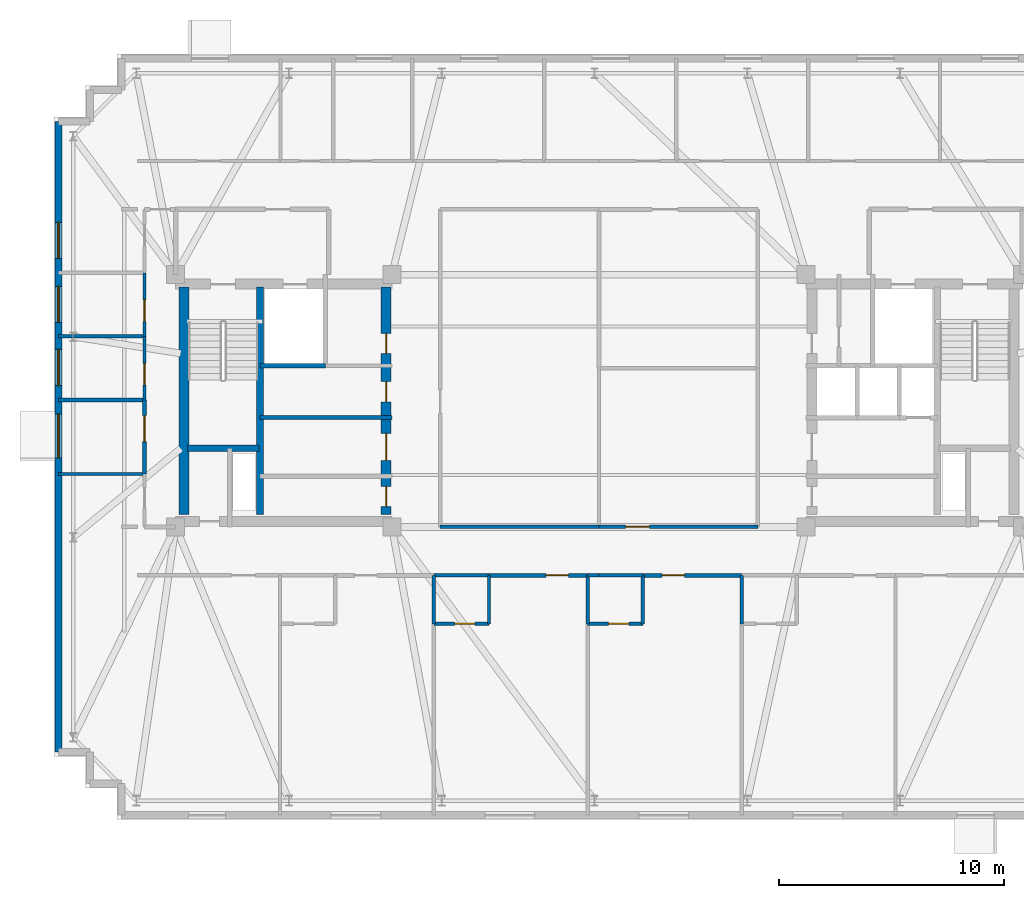
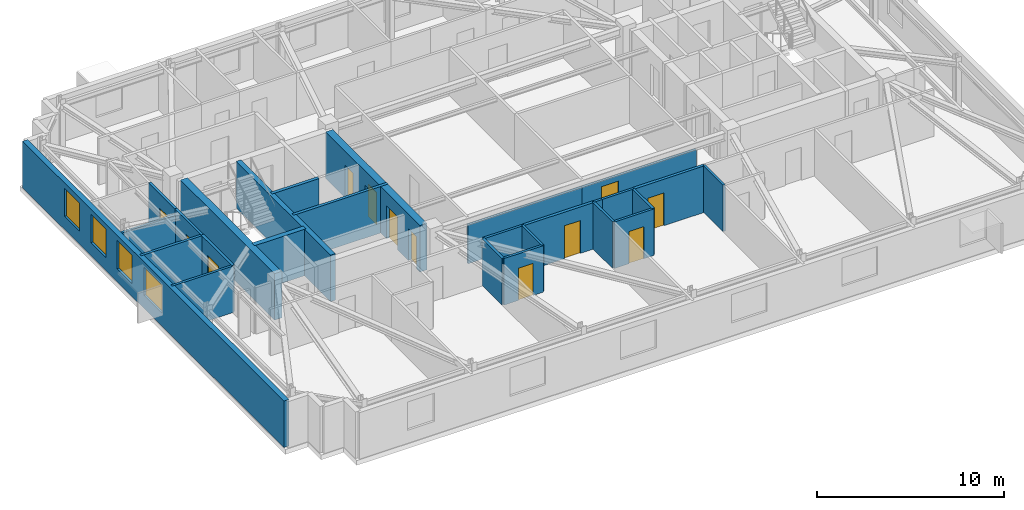
# One storey, part 6 of 11: 27 walls, 12 doors, 4 windows, 16 openings.
"""IFC4 building model written with IfcOpenShell, lengths in metres."""

import ifcopenshell
import ifcopenshell.guid

model = None  # the IFC model being written
_history = None  # IfcOwnerHistory: only IFC2X3 demands one
_inside = {}  # id of a spatial element -> (the spatial element, [elements in it])
_under = {}  # id of a project, library or spatial element -> (it, [spatial elements below it])
_declared = {}  # id of a project -> (the project, [libraries it declares])
_typed = {}  # id of a type object -> (the type object, [elements of that type])
_made_of = {}  # id of a material, layer set ... -> (it, [elements and type objects made of it])


def new_model(schema):
    """Start an empty IFC model of exactly this schema.

    Asked for "IFC4X3", IfcOpenShell would pick the latest addendum, in which some entities
    have other attributes; the version numbers below select the first issue.
    IFC2X3 requires an IfcOwnerHistory on every rooted entity: one is made here for all.
    """
    global model, _history
    if schema == "IFC4X3":
        model = ifcopenshell.file(schema_version=(4, 3, 0, 0))
    else:
        model = ifcopenshell.file(schema=schema)
    _inside.clear()
    _under.clear()
    _declared.clear()
    _typed.clear()
    _made_of.clear()
    _history = None
    if model.schema == "IFC2X3":
        org = make("IfcOrganization", Name="unknown")
        user = make(
            "IfcPersonAndOrganization",
            ThePerson=make("IfcPerson", FamilyName="unknown"),
            TheOrganization=org,
        )
        app = make(
            "IfcApplication",
            ApplicationDeveloper=org,
            Version="unknown",
            ApplicationFullName="unknown",
            ApplicationIdentifier="unknown",
        )
        _history = make(
            "IfcOwnerHistory",
            OwningUser=user,
            OwningApplication=app,
            ChangeAction="ADDED",
            CreationDate=0,
        )
    return model


def make(cls, **values):
    """One entity of the class cls with the attributes given. An attribute that is None is left unset."""
    return model.create_entity(
        cls, **{name: value for name, value in values.items() if value is not None}
    )


def rooted(cls, **values):
    """An entity with a GlobalId (a new one), such as an element, a storey or a relation."""
    return make(cls, GlobalId=ifcopenshell.guid.new(), OwnerHistory=_history, **values)


def si_unit(unit_type, name, prefix=None):
    """IfcSIUnit, for example si_unit("LENGTHUNIT", "METRE", prefix="MILLI")."""
    return make("IfcSIUnit", UnitType=unit_type, Prefix=prefix, Name=name)


def assignment(units):
    """IfcUnitAssignment: the units of a project."""
    return None if units is None else make("IfcUnitAssignment", Units=units)


def point(xyz):
    """IfcCartesianPoint."""
    return None if xyz is None else make("IfcCartesianPoint", Coordinates=xyz)


def direction(xyz):
    """IfcDirection."""
    return None if xyz is None else make("IfcDirection", DirectionRatios=xyz)


def frame(location, z_axis=None, x_axis=None):
    """IfcAxis2Placement3D, a coordinate frame: its origin and axes. An axis left out is left unset."""
    return make(
        "IfcAxis2Placement3D",
        Location=point(location),
        Axis=direction(z_axis),
        RefDirection=direction(x_axis),
    )


def frame_2d(location, x_axis=None):
    """IfcAxis2Placement2D, a coordinate frame in the plane: its origin and x axis."""
    return make(
        "IfcAxis2Placement2D", Location=point(location), RefDirection=direction(x_axis)
    )


def origin():
    """The frame at (0, 0, 0) with its axes left unset."""
    return frame((0.0, 0.0, 0.0))


def place(relative_to, where):
    """IfcLocalPlacement: puts the frame where relative to a parent placement (None: the world)."""
    return make(
        "IfcLocalPlacement", PlacementRelTo=relative_to, RelativePlacement=where
    )


def context(
    kind, dimensions, precision=None, world=None, true_north=None, identifier=None
):
    """IfcGeometricRepresentationContext, for example the 3D "Model" context."""
    return make(
        "IfcGeometricRepresentationContext",
        ContextIdentifier=identifier,
        ContextType=kind,
        CoordinateSpaceDimension=dimensions,
        Precision=precision,
        WorldCoordinateSystem=world,
        TrueNorth=true_north,
    )


def subcontext(parent, identifier, kind, view, scale=None):
    """IfcGeometricRepresentationSubContext, for example "Body" below "Model"."""
    return make(
        "IfcGeometricRepresentationSubContext",
        ContextIdentifier=identifier,
        ContextType=kind,
        ParentContext=parent,
        TargetScale=scale,
        TargetView=view,
    )


def project(units=None, contexts=None):
    """IfcProject with its units and contexts."""
    return rooted(
        "IfcProject",
        Name="project",
        RepresentationContexts=contexts,
        UnitsInContext=assignment(units),
    )


def spatial(cls, under=None, at=None, **own):
    """A site, building, storey or space (cls), placed at a placement, below another one or the project."""
    s = rooted(cls, ObjectPlacement=at, **own)
    if under is not None:
        _under.setdefault(under.id(), (under, []))[1].append(s)
    return s


def profile(cls, at=None, kind="AREA", **sizes):
    """A parametric profile (cls). Its sizes go by their IFC names, for example OverallWidth=200.0."""
    return make(cls, ProfileType=kind, Position=at, **sizes)


def rectangle(**sizes):
    """IfcRectangleProfileDef."""
    return profile("IfcRectangleProfileDef", **sizes)


def extrude(swept, where, along, depth):
    """IfcExtrudedAreaSolid: the profile swept, set in the frame where, extruded along a direction by depth."""
    return make(
        "IfcExtrudedAreaSolid",
        SweptArea=swept,
        Position=where,
        ExtrudedDirection=direction(along),
        Depth=depth,
    )


def shape(context_of_items, identifier, shape_type, items):
    """IfcShapeRepresentation: the items that make up one representation, for example the "Body"."""
    return make(
        "IfcShapeRepresentation",
        ContextOfItems=context_of_items,
        RepresentationIdentifier=identifier,
        RepresentationType=shape_type,
        Items=items,
    )


def material(Name=None, Category=None):
    """IfcMaterial."""
    return make("IfcMaterial", Name=Name, Category=Category)


def layer(
    of_material, thickness, ventilated=None, Name=None, Category=None, Priority=None
):
    """IfcMaterialLayer: one layer of a wall or slab, of a material (None: an air gap)."""
    return make(
        "IfcMaterialLayer",
        Material=of_material,
        LayerThickness=thickness,
        IsVentilated=ventilated,
        Name=Name,
        Category=Category,
        Priority=Priority,
    )


def layer_set(layers, Name=None):
    """IfcMaterialLayerSet."""
    return make("IfcMaterialLayerSet", MaterialLayers=layers, LayerSetName=Name)


def made_of(thing, what):
    """Note that an element or type object is made of a material, layer set ...; save() writes the relation."""
    if what is not None:
        _made_of.setdefault(what.id(), (what, []))[1].append(thing)
    return thing


def type_object(cls, material=None, **own):
    """A type object (cls), such as IfcWallType, which elements share."""
    return made_of(rooted(cls, **own), material)


def element(
    cls,
    number,
    at=None,
    inside=None,
    cuts=None,
    type_object=None,
    material=None,
    context=None,
    identifier="Body",
    shape_type=None,
    held_by="IfcProductDefinitionShape",
    body=None,
    shapes=None,
    **own,
):
    """One element of the class cls, such as IfcWall. Its Tag is "e" and its number.

    at: its placement. inside: the storey or other place that contains it. cuts: it is an
    opening in that element (IfcRelVoidsElement). A single representation is given by context,
    identifier, shape_type and body (its items); several are given by shapes. held_by: the class
    of the entity that holds the representations. save() writes the other relations.
    """
    e = rooted(cls, Tag="e%d" % number, ObjectPlacement=at, **own)
    if body is not None:
        shapes = [shape(context, identifier, shape_type, body)]
    if shapes is not None:
        e.Representation = make(held_by, Representations=shapes)
    if inside is not None:
        _inside.setdefault(inside.id(), (inside, []))[1].append(e)
    if cuts is not None:
        rooted(
            "IfcRelVoidsElement", RelatingBuildingElement=cuts, RelatedOpeningElement=e
        )
    if type_object is not None:
        _typed.setdefault(type_object.id(), (type_object, []))[1].append(e)
    return made_of(e, material)


def fill(opening, filler):
    """IfcRelFillsElement: the door or window that sits in an opening."""
    return rooted(
        "IfcRelFillsElement",
        RelatingOpeningElement=opening,
        RelatedBuildingElement=filler,
    )


def aggregate(whole, parts):
    """IfcRelAggregates: a whole, such as a stair, and the parts it consists of."""
    return rooted("IfcRelAggregates", RelatingObject=whole, RelatedObjects=parts)


def save(model, path):
    """Write the relations noted so far, then the file.

    IfcRelAggregates (storeys below a building ...), IfcRelContainedInSpatialStructure (elements
    in a storey), IfcRelDefinesByType, IfcRelAssociatesMaterial and IfcRelDeclares: one each for
    every whole, place, type object, material and project.
    """
    for whole, parts in _under.values():
        aggregate(whole, parts)
    for where, things in _inside.values():
        rooted(
            "IfcRelContainedInSpatialStructure",
            RelatedElements=things,
            RelatingStructure=where,
        )
    for kind, things in _typed.values():
        rooted("IfcRelDefinesByType", RelatedObjects=things, RelatingType=kind)
    for what, things in _made_of.values():
        rooted("IfcRelAssociatesMaterial", RelatedObjects=things, RelatingMaterial=what)
    for by, libraries in _declared.values():
        rooted("IfcRelDeclares", RelatingContext=by, RelatedDefinitions=libraries)
    model.write(path)


model = new_model("IFC4")

# Units and contexts
model_context = context("Model", 3, precision=1e-05, world=origin(), true_north=direction((0.0, 1.0)))
body_context = subcontext(model_context, "Body", "Model", "MODEL_VIEW")
ifc_project = project(units=[si_unit("LENGTHUNIT", "METRE"), si_unit("AREAUNIT", "SQUARE_METRE"), si_unit("VOLUMEUNIT", "CUBIC_METRE"), si_unit("PLANEANGLEUNIT", "RADIAN"), si_unit("MASSUNIT", "GRAM", prefix="KILO")], contexts=[model_context])

# Site, building, storey
site_placement = place(None, origin())
site = spatial("IfcSite", under=ifc_project, at=site_placement, CompositionType="ELEMENT")
building_placement = place(site_placement, origin())
building = spatial("IfcBuilding", under=site, at=building_placement, Name="Qobustan Lattice House", CompositionType="ELEMENT")
storey_placement = place(building_placement, frame((0.0, 0.0, 245.050048828125)))
storey = spatial("IfcBuildingStorey", under=building, at=storey_placement, Name="L69", CompositionType="ELEMENT", Elevation=245.050048828125)

# Wall
ifc_material_1 = material(Name="Concrete C50/60", Category="concrete")
ifc_layer_1 = layer(ifc_material_1, 0.43994140625)
ifc_layer_set_1 = layer_set([ifc_layer_1], Name="Concrete C50/60")
wall_type_1 = type_object("IfcWallType", Name="WAL-CORE-440", PredefinedType="SHEAR", material=ifc_layer_set_1)
wall_1_placement = place(storey_placement, frame((-18.429931640625, -5.050048828125, 0.0), z_axis=(0.0, 0.0, 1.0), x_axis=(0.0, 1.0, 0.0)))
element("IfcWall", 1, at=wall_1_placement, inside=storey, type_object=wall_type_1, Name="L69 split-core shear wall CW-W", PredefinedType="SHEAR", context=body_context, shape_type="SweptSolid", body=[
    extrude(rectangle(XDim=10.10009765625, YDim=0.43994140625, at=frame_2d((5.050048828125, 0.0))), origin(), (0.0, 0.0, 1.0), 3.0400390625),
])

# Wall, openings, doors
wall_2_placement = place(storey_placement, frame((-9.449951171875, -5.050048828125, 0.0), z_axis=(0.0, 0.0, 1.0), x_axis=(0.0, 1.0, 0.0)))
wall_2 = element("IfcWall", 2, at=wall_2_placement, inside=storey, type_object=wall_type_1, Name="L69 split-core shear wall CW-E", PredefinedType="SHEAR", context=body_context, shape_type="SweptSolid", body=[
    extrude(rectangle(XDim=10.10009765625, YDim=0.43994140625, at=frame_2d((5.050048828125, 0.0))), origin(), (0.0, 0.0, 1.0), 3.0400390625),
])
opening_1_placement = place(wall_2_placement, frame((7.14990234375, 0.0, 0.0)))
opening_1 = element("IfcOpeningElement", 3, at=opening_1_placement, cuts=wall_2, Name="Opening RD-01", PredefinedType="OPENING", context=body_context, shape_type="SweptSolid", body=[
    extrude(rectangle(XDim=0.89990234375, YDim=2.10009765625, at=frame_2d((0.449951171875, 1.050048828125))), frame((0.0, 0.22998046875, 0.0), z_axis=(0.0, -1.0, 0.0), x_axis=(1.0, 0.0, 0.0)), (0.0, 0.0, 1.0), 0.4599609375),
])
opening_2_placement = place(wall_2_placement, frame((2.39990234375, 0.0, 0.0)))
opening_2 = element("IfcOpeningElement", 4, at=opening_2_placement, cuts=wall_2, Name="Opening FD-01", PredefinedType="OPENING", context=body_context, shape_type="SweptSolid", body=[
    extrude(rectangle(XDim=1.199951171875, YDim=2.14990234375, at=frame_2d((0.60009765625, 1.074951171875))), frame((0.0, 0.22998046875, 0.0), z_axis=(0.0, -1.0, 0.0), x_axis=(1.0, 0.0, 0.0)), (0.0, 0.0, 1.0), 0.4599609375),
])
opening_3_placement = place(wall_2_placement, frame((0.35009765625, 0.0, 0.0)))
opening_3 = element("IfcOpeningElement", 5, at=opening_3_placement, cuts=wall_2, Name="Opening RD-01", PredefinedType="OPENING", context=body_context, shape_type="SweptSolid", body=[
    extrude(rectangle(XDim=0.89990234375, YDim=2.10009765625, at=frame_2d((0.449951171875, 1.050048828125))), frame((0.0, 0.22998046875, 0.0), z_axis=(0.0, -1.0, 0.0), x_axis=(1.0, 0.0, 0.0)), (0.0, 0.0, 1.0), 0.4599609375),
])
opening_4_placement = place(wall_2_placement, frame((5.0, 0.0, 0.0)))
opening_4 = element("IfcOpeningElement", 6, at=opening_4_placement, cuts=wall_2, Name="Opening RD-01", PredefinedType="OPENING", context=body_context, shape_type="SweptSolid", body=[
    extrude(rectangle(XDim=0.89990234375, YDim=2.10009765625, at=frame_2d((0.449951171875, 1.050048828125))), frame((0.0, 0.22998046875, 0.0), z_axis=(0.0, -1.0, 0.0), x_axis=(1.0, 0.0, 0.0)), (0.0, 0.0, 1.0), 0.4599609375),
])
ifc_material_2 = material(Name="Persian walnut timber and steel frame door", Category="steel")
door_type_1 = type_object("IfcDoorType", Name="DOR-LOBBY-FD-1200x2150", OperationType="NOTDEFINED", PredefinedType="DOOR", material=ifc_material_2)
door_1_placement = place(opening_2_placement, origin())
door_1 = element("IfcDoor", 7, at=door_1_placement, inside=storey, type_object=door_type_1, Name="L69 West core foyer fire door", OperationType="SINGLE_SWING_RIGHT", OverallHeight=2.14990234375, OverallWidth=1.199951171875, PredefinedType="DOOR", context=body_context, shape_type="SweptSolid", body=[
    extrude(rectangle(XDim=1.199951171875, YDim=2.14990234375, at=frame_2d((0.60009765625, 1.074951171875))), frame((0.0, 0.02490234375, 0.0), z_axis=(0.0, -1.0, 0.0), x_axis=(1.0, 0.0, 0.0)), (0.0, 0.0, 1.0), 0.050048828125),
])
fill(opening_2, door_1)
ifc_material_3 = material(Name="Persian walnut timber and steel frame door", Category="steel")
door_type_2 = type_object("IfcDoorType", Name="DOR-RISER-FD-900x2100", OperationType="NOTDEFINED", PredefinedType="DOOR", material=ifc_material_3)
door_2_placement = place(opening_1_placement, origin())
door_2 = element("IfcDoor", 8, at=door_2_placement, inside=storey, type_object=door_type_2, Name="L69 Floor tea pantry fire door", OperationType="SINGLE_SWING_LEFT", OverallHeight=2.10009765625, OverallWidth=0.89990234375, PredefinedType="DOOR", context=body_context, shape_type="SweptSolid", body=[
    extrude(rectangle(XDim=0.89990234375, YDim=2.10009765625, at=frame_2d((0.449951171875, 1.050048828125))), frame((0.0, 0.02490234375, 0.0), z_axis=(0.0, -1.0, 0.0), x_axis=(1.0, 0.0, 0.0)), (0.0, 0.0, 1.0), 0.050048828125),
])
fill(opening_1, door_2)
door_3_placement = place(opening_3_placement, origin())
door_3 = element("IfcDoor", 9, at=door_3_placement, inside=storey, type_object=door_type_2, Name="L69 Tutorial seminar salon fire door", OperationType="SINGLE_SWING_LEFT", OverallHeight=2.10009765625, OverallWidth=0.89990234375, PredefinedType="DOOR", context=body_context, shape_type="SweptSolid", body=[
    extrude(rectangle(XDim=0.89990234375, YDim=2.10009765625, at=frame_2d((0.449951171875, 1.050048828125))), frame((0.0, 0.02490234375, 0.0), z_axis=(0.0, -1.0, 0.0), x_axis=(1.0, 0.0, 0.0)), (0.0, 0.0, 1.0), 0.050048828125),
])
fill(opening_3, door_3)
door_4_placement = place(opening_4_placement, origin())
door_4 = element("IfcDoor", 10, at=door_4_placement, inside=storey, type_object=door_type_2, Name="L69 Copy and tea hub fire door", OperationType="SINGLE_SWING_RIGHT", OverallHeight=2.10009765625, OverallWidth=0.89990234375, PredefinedType="DOOR", context=body_context, shape_type="SweptSolid", body=[
    extrude(rectangle(XDim=0.89990234375, YDim=2.10009765625, at=frame_2d((0.449951171875, 1.050048828125))), frame((0.0, 0.02490234375, 0.0), z_axis=(0.0, -1.0, 0.0), x_axis=(1.0, 0.0, 0.0)), (0.0, 0.0, 1.0), 0.050048828125),
])
fill(opening_4, door_4)

# Walls
ifc_material_4 = material(Name="Concrete C50/60", Category="concrete")
ifc_layer_2 = layer(ifc_material_4, 0.280029296875)
ifc_layer_set_2 = layer_set([ifc_layer_2], Name="Concrete C50/60")
wall_type_2 = type_object("IfcWallType", Name="WAL-CORE-SPINE-280", PredefinedType="SHEAR", material=ifc_layer_set_2)
wall_3_placement = place(storey_placement, frame((-15.050048828125, -5.050048828125, 0.0), z_axis=(0.0, 0.0, 1.0), x_axis=(0.0, 1.0, 0.0)))
element("IfcWall", 11, at=wall_3_placement, inside=storey, type_object=wall_type_2, Name="L69 split-core shear wall CW-M", PredefinedType="SHEAR", context=body_context, shape_type="SweptSolid", body=[
    extrude(rectangle(XDim=10.10009765625, YDim=0.300048828125, at=frame_2d((5.050048828125, 0.0))), origin(), (0.0, 0.0, 1.0), 3.0400390625),
])
wall_4_placement = place(storey_placement, frame((-18.280029296875, -2.110107421875, 0.0), z_axis=(0.0, 0.0, 1.0), x_axis=(1.0, 0.0, 0.0)))
element("IfcWall", 12, at=wall_4_placement, inside=storey, type_object=wall_type_2, Name="L69 split-core shear wall CW-ST", PredefinedType="SHEAR", context=body_context, shape_type="SweptSolid", body=[
    extrude(rectangle(XDim=3.179931640625, YDim=0.300048828125, at=frame_2d((1.58984375, 0.0))), origin(), (0.0, 0.0, 1.0), 3.0400390625),
])

# Wall, openings, windows
ifc_material_5 = material(Name="Precast concrete C40/50", Category="concrete")
ifc_layer_3 = layer(ifc_material_5, 0.320068359375)
ifc_layer_set_3 = layer_set([ifc_layer_3], Name="Precast concrete C40/50")
wall_type_3 = type_object("IfcWallType", Name="WAL-EXT-STONE-320", PredefinedType="SOLIDWALL", material=ifc_layer_set_3)
wall_5_placement = place(storey_placement, frame((-24.0, -15.60009765625, 0.0), z_axis=(0.0, 0.0, 1.0), x_axis=(0.0, 1.0, 0.0)))
wall_5 = element("IfcWall", 13, at=wall_5_placement, inside=storey, type_object=wall_type_3, Name="L69 exterior limestone-clad wall 5", PredefinedType="SOLIDWALL", context=body_context, shape_type="SweptSolid", body=[
    extrude(rectangle(XDim=28.0, YDim=0.320068359375, at=frame_2d((14.0, 0.0))), origin(), (0.0, 0.0, 1.0), 3.0400390625),
])
opening_5_placement = place(wall_5_placement, frame((13.06494140625, 0.0, 0.85009765625)))
opening_5 = element("IfcOpeningElement", 14, at=opening_5_placement, cuts=wall_5, Name="Opening WN-08", PredefinedType="OPENING", context=body_context, shape_type="SweptSolid", body=[
    extrude(rectangle(XDim=1.949951171875, YDim=1.85009765625, at=frame_2d((0.97509765625, 0.925048828125))), frame((0.0, 0.169921875, 0.0), z_axis=(0.0, -1.0, 0.0), x_axis=(1.0, 0.0, 0.0)), (0.0, 0.0, 1.0), 0.340087890625),
])
opening_6_placement = place(wall_5_placement, frame((16.280029296875, 0.0, 0.85009765625)))
opening_6 = element("IfcOpeningElement", 15, at=opening_6_placement, cuts=wall_5, Name="Opening WN-13", PredefinedType="OPENING", context=body_context, shape_type="SweptSolid", body=[
    extrude(rectangle(XDim=1.60009765625, YDim=1.85009765625, at=frame_2d((0.800048828125, 0.925048828125))), frame((0.0, 0.169921875, 0.0), z_axis=(0.0, -1.0, 0.0), x_axis=(1.0, 0.0, 0.0)), (0.0, 0.0, 1.0), 0.340087890625),
])
opening_7_placement = place(wall_5_placement, frame((19.080078125, 0.0, 0.85009765625)))
opening_7 = element("IfcOpeningElement", 16, at=opening_7_placement, cuts=wall_5, Name="Opening WN-13", PredefinedType="OPENING", context=body_context, shape_type="SweptSolid", body=[
    extrude(rectangle(XDim=1.60009765625, YDim=1.85009765625, at=frame_2d((0.800048828125, 0.925048828125))), frame((0.0, 0.169921875, 0.0), z_axis=(0.0, -1.0, 0.0), x_axis=(1.0, 0.0, 0.0)), (0.0, 0.0, 1.0), 0.340087890625),
])
opening_8_placement = place(wall_5_placement, frame((21.919921875, 0.0, 0.85009765625)))
opening_8 = element("IfcOpeningElement", 17, at=opening_8_placement, cuts=wall_5, Name="Opening WN-13", PredefinedType="OPENING", context=body_context, shape_type="SweptSolid", body=[
    extrude(rectangle(XDim=1.60009765625, YDim=1.85009765625, at=frame_2d((0.800048828125, 0.925048828125))), frame((0.0, 0.169921875, 0.0), z_axis=(0.0, -1.0, 0.0), x_axis=(1.0, 0.0, 0.0)), (0.0, 0.0, 1.0), 0.340087890625),
])
ifc_material_6 = material(Name="Double-glazed low-E aluminium window", Category="aluminium")
window_type_1 = type_object("IfcWindowType", Name="WIN-BED-1600x1850", PartitioningType="SINGLE_PANEL", PredefinedType="WINDOW", material=ifc_material_6)
window_1_placement = place(opening_6_placement, origin())
window_1 = element("IfcWindow", 18, at=window_1_placement, inside=storey, type_object=window_type_1, Name="L69 Cluster bedroom L69W1 window", OverallHeight=1.85009765625, OverallWidth=1.60009765625, PartitioningType="SINGLE_PANEL", PredefinedType="WINDOW", context=body_context, shape_type="SweptSolid", body=[
    extrude(rectangle(XDim=1.60009765625, YDim=1.85009765625, at=frame_2d((0.800048828125, 0.925048828125))), frame((0.0, 0.030029296875, 0.0), z_axis=(0.0, -1.0, 0.0), x_axis=(1.0, 0.0, 0.0)), (0.0, 0.0, 1.0), 0.06005859375),
])
fill(opening_6, window_1)
window_2_placement = place(opening_7_placement, origin())
window_2 = element("IfcWindow", 19, at=window_2_placement, inside=storey, type_object=window_type_1, Name="L69 Cluster bedroom L69W2 window", OverallHeight=1.85009765625, OverallWidth=1.60009765625, PartitioningType="SINGLE_PANEL", PredefinedType="WINDOW", context=body_context, shape_type="SweptSolid", body=[
    extrude(rectangle(XDim=1.60009765625, YDim=1.85009765625, at=frame_2d((0.800048828125, 0.925048828125))), frame((0.0, 0.030029296875, 0.0), z_axis=(0.0, -1.0, 0.0), x_axis=(1.0, 0.0, 0.0)), (0.0, 0.0, 1.0), 0.06005859375),
])
fill(opening_7, window_2)
window_3_placement = place(opening_8_placement, origin())
window_3 = element("IfcWindow", 20, at=window_3_placement, inside=storey, type_object=window_type_1, Name="L69 Cluster bedroom L69W3 window", OverallHeight=1.85009765625, OverallWidth=1.60009765625, PartitioningType="SINGLE_PANEL", PredefinedType="WINDOW", context=body_context, shape_type="SweptSolid", body=[
    extrude(rectangle(XDim=1.60009765625, YDim=1.85009765625, at=frame_2d((0.800048828125, 0.925048828125))), frame((0.0, 0.030029296875, 0.0), z_axis=(0.0, -1.0, 0.0), x_axis=(1.0, 0.0, 0.0)), (0.0, 0.0, 1.0), 0.06005859375),
])
fill(opening_8, window_3)
ifc_material_7 = material(Name="Double-glazed low-E aluminium window", Category="aluminium")
window_type_2 = type_object("IfcWindowType", Name="WIN-KIT-1950x1850", PartitioningType="SINGLE_PANEL", PredefinedType="WINDOW", material=ifc_material_7)
window_4_placement = place(opening_5_placement, origin())
window_4 = element("IfcWindow", 21, at=window_4_placement, inside=storey, type_object=window_type_2, Name="L69 Shared kitchen L69W window", OverallHeight=1.85009765625, OverallWidth=1.949951171875, PartitioningType="SINGLE_PANEL", PredefinedType="WINDOW", context=body_context, shape_type="SweptSolid", body=[
    extrude(rectangle(XDim=1.949951171875, YDim=1.85009765625, at=frame_2d((0.97509765625, 0.925048828125))), frame((0.0, 0.030029296875, 0.0), z_axis=(0.0, -1.0, 0.0), x_axis=(1.0, 0.0, 0.0)), (0.0, 0.0, 1.0), 0.06005859375),
])
fill(opening_5, window_4)

# Wall
ifc_material_8 = material(Name="Gypsum fireboard acoustic partition", Category="gypsum")
ifc_layer_4 = layer(ifc_material_8, 0.179931640625)
ifc_layer_set_4 = layer_set([ifc_layer_4], Name="Gypsum fireboard acoustic partition")
wall_type_4 = type_object("IfcWallType", Name="WAL-FIRE-180", PredefinedType="PARTITIONING", material=ifc_layer_set_4)
wall_6_placement = place(storey_placement, frame((-9.199951171875, -0.75, 0.0), z_axis=(0.0, 0.0, 1.0), x_axis=(-1.0, 0.0, 0.0)))
element("IfcWall", 22, at=wall_6_placement, inside=storey, type_object=wall_type_4, Name="L69 interior partition 9", PredefinedType="PARTITIONING", context=body_context, shape_type="SweptSolid", body=[
    extrude(rectangle(XDim=5.85009765625, YDim=0.179931640625, at=frame_2d((2.925048828125, 0.0))), origin(), (0.0, 0.0, 1.0), 3.0400390625),
])

# Wall, opening, door
wall_7_placement = place(storey_placement, frame((-0.5, -7.75, 0.0), z_axis=(0.0, 0.0, 1.0), x_axis=(-1.0, 0.0, 0.0)))
wall_7 = element("IfcWall", 23, at=wall_7_placement, inside=storey, type_object=wall_type_4, Name="L69 interior partition 48", PredefinedType="PARTITIONING", context=body_context, shape_type="SweptSolid", body=[
    extrude(rectangle(XDim=4.383056640625, YDim=0.179931640625, at=frame_2d((2.19140625, 0.0))), origin(), (0.0, 0.0, 1.0), 3.0400390625),
])
opening_9_placement = place(wall_7_placement, frame((0.85791015625, 0.0, 0.0)))
opening_9 = element("IfcOpeningElement", 24, at=opening_9_placement, cuts=wall_7, Name="Opening FD-02", PredefinedType="OPENING", context=body_context, shape_type="SweptSolid", body=[
    extrude(rectangle(XDim=1.0, YDim=2.14990234375, at=frame_2d((0.5, 1.074951171875))), frame((0.0, 0.099853515625, 0.0), z_axis=(0.0, -1.0, 0.0), x_axis=(1.0, 0.0, 0.0)), (0.0, 0.0, 1.0), 0.199951171875),
])
ifc_material_9 = material(Name="Persian walnut timber and steel frame door", Category="steel")
door_type_3 = type_object("IfcDoorType", Name="DOR-UNIT-FD-1000x2150", OperationType="NOTDEFINED", PredefinedType="DOOR", material=ifc_material_9)
door_5_placement = place(opening_9_placement, origin())
door_5 = element("IfcDoor", 25, at=door_5_placement, inside=storey, type_object=door_type_3, Name="L69 South-west floor corridor to Kitchenette and studio apartment L69-S3 door", OperationType="SINGLE_SWING_LEFT", OverallHeight=2.14990234375, OverallWidth=1.0, PredefinedType="DOOR", context=body_context, shape_type="SweptSolid", body=[
    extrude(rectangle(XDim=1.0, YDim=2.14990234375, at=frame_2d((0.5, 1.074951171875))), frame((0.0, 0.02490234375, 0.0), z_axis=(0.0, -1.0, 0.0), x_axis=(1.0, 0.0, 0.0)), (0.0, 0.0, 1.0), 0.050048828125),
])
fill(opening_9, door_5)

wall_8_placement = place(storey_placement, frame((6.3330078125, -7.75, 0.0), z_axis=(0.0, 0.0, 1.0), x_axis=(-1.0, 0.0, 0.0)))
wall_8 = element("IfcWall", 26, at=wall_8_placement, inside=storey, type_object=wall_type_4, Name="L69 interior partition 54", PredefinedType="PARTITIONING", context=body_context, shape_type="SweptSolid", body=[
    extrude(rectangle(XDim=4.383056640625, YDim=0.179931640625, at=frame_2d((2.19140625, 0.0))), origin(), (0.0, 0.0, 1.0), 3.0400390625),
])
opening_10_placement = place(wall_8_placement, frame((2.525146484375, 0.0, 0.0)))
opening_10 = element("IfcOpeningElement", 27, at=opening_10_placement, cuts=wall_8, Name="Opening FD-02", PredefinedType="OPENING", context=body_context, shape_type="SweptSolid", body=[
    extrude(rectangle(XDim=1.0, YDim=2.14990234375, at=frame_2d((0.5, 1.074951171875))), frame((0.0, 0.099853515625, 0.0), z_axis=(0.0, -1.0, 0.0), x_axis=(1.0, 0.0, 0.0)), (0.0, 0.0, 1.0), 0.199951171875),
])
door_6_placement = place(opening_10_placement, origin())
door_6 = element("IfcDoor", 28, at=door_6_placement, inside=storey, type_object=door_type_3, Name="L69 South-east floor corridor to Kitchenette and studio apartment L69-S4 door", OperationType="SINGLE_SWING_RIGHT", OverallHeight=2.14990234375, OverallWidth=1.0, PredefinedType="DOOR", context=body_context, shape_type="SweptSolid", body=[
    extrude(rectangle(XDim=1.0, YDim=2.14990234375, at=frame_2d((0.5, 1.074951171875))), frame((0.0, 0.02490234375, 0.0), z_axis=(0.0, -1.0, 0.0), x_axis=(1.0, 0.0, 0.0)), (0.0, 0.0, 1.0), 0.050048828125),
])
fill(opening_10, door_6)

# Wall
ifc_material_10 = material(Name="Acoustic twin-stud gypsum partition", Category="gypsum")
ifc_layer_5 = layer(ifc_material_10, 0.14990234375)
ifc_layer_set_5 = layer_set([ifc_layer_5], Name="Acoustic twin-stud gypsum partition")
wall_type_5 = type_object("IfcWallType", Name="WAL-PART-150", PredefinedType="PARTITIONING", material=ifc_layer_set_5)
wall_9_placement = place(storey_placement, frame((-7.050048828125, -5.60009765625, 0.0), z_axis=(0.0, 0.0, 1.0), x_axis=(1.0, 0.0, 0.0)))
element("IfcWall", 29, at=wall_9_placement, inside=storey, type_object=wall_type_5, Name="L69 interior partition 51", PredefinedType="PARTITIONING", context=body_context, shape_type="SweptSolid", body=[
    extrude(rectangle(XDim=7.050048828125, YDim=0.14990234375, at=frame_2d((3.52490234375, 0.0))), origin(), (0.0, 0.0, 1.0), 2.52490234375),
])

# Wall, opening, door
wall_10_placement = place(storey_placement, frame((0.0, -5.60009765625, 0.0), z_axis=(0.0, 0.0, 1.0), x_axis=(1.0, 0.0, 0.0)))
wall_10 = element("IfcWall", 30, at=wall_10_placement, inside=storey, type_object=wall_type_5, Name="L69 interior partition 59", PredefinedType="PARTITIONING", context=body_context, shape_type="SweptSolid", body=[
    extrude(rectangle(XDim=7.050048828125, YDim=0.14990234375, at=frame_2d((3.52490234375, 0.0))), origin(), (0.0, 0.0, 1.0), 2.52490234375),
])
opening_11_placement = place(wall_10_placement, frame((1.18505859375, 0.0, 0.0)))
opening_11 = element("IfcOpeningElement", 31, at=opening_11_placement, cuts=wall_10, Name="Opening ID-02", PredefinedType="OPENING", context=body_context, shape_type="SweptSolid", body=[
    extrude(rectangle(XDim=1.050048828125, YDim=2.14990234375, at=frame_2d((0.52490234375, 1.074951171875))), frame((0.0, 0.0849609375, 0.0), z_axis=(0.0, -1.0, 0.0), x_axis=(1.0, 0.0, 0.0)), (0.0, 0.0, 1.0), 0.169921875),
])
ifc_material_11 = material(Name="Persian walnut timber and steel frame door", Category="steel")
door_type_4 = type_object("IfcDoorType", Name="DOR-STUDY-1050x2150", OperationType="NOTDEFINED", PredefinedType="DOOR", material=ifc_material_11)
door_7_placement = place(opening_11_placement, origin())
door_7 = element("IfcDoor", 32, at=door_7_placement, inside=storey, type_object=door_type_4, Name="L69 South-east floor corridor to Seminar breakout room door", OperationType="SINGLE_SWING_LEFT", OverallHeight=2.14990234375, OverallWidth=1.050048828125, PredefinedType="DOOR", context=body_context, shape_type="SweptSolid", body=[
    extrude(rectangle(XDim=1.050048828125, YDim=2.14990234375, at=frame_2d((0.52490234375, 1.074951171875))), frame((0.0, 0.02490234375, 0.0), z_axis=(0.0, -1.0, 0.0), x_axis=(1.0, 0.0, 0.0)), (0.0, 0.0, 1.0), 0.050048828125),
])
fill(opening_11, door_7)

wall_11_placement = place(storey_placement, frame((-20.179931640625, 0.0400390625, 0.0), z_axis=(0.0, 0.0, 1.0), x_axis=(0.0, 1.0, 0.0)))
wall_11 = element("IfcWall", 33, at=wall_11_placement, inside=storey, type_object=wall_type_5, Name="L69 interior partition 65", PredefinedType="PARTITIONING", context=body_context, shape_type="SweptSolid", body=[
    extrude(rectangle(XDim=2.820068359375, YDim=0.14990234375, at=frame_2d((1.41015625, 0.0))), origin(), (0.0, 0.0, 1.0), 3.0400390625),
])
opening_12_placement = place(wall_11_placement, frame((0.668701171875, 0.0, 0.0)))
opening_12 = element("IfcOpeningElement", 34, at=opening_12_placement, cuts=wall_11, Name="Opening ID-01", PredefinedType="OPENING", context=body_context, shape_type="SweptSolid", body=[
    extrude(rectangle(XDim=0.949951171875, YDim=2.10009765625, at=frame_2d((0.47509765625, 1.050048828125))), frame((0.0, 0.0849609375, 0.0), z_axis=(0.0, -1.0, 0.0), x_axis=(1.0, 0.0, 0.0)), (0.0, 0.0, 1.0), 0.169921875),
])
ifc_material_12 = material(Name="Persian walnut timber and steel frame door", Category="steel")
door_type_5 = type_object("IfcDoorType", Name="DOR-ROOM-950x2100", OperationType="NOTDEFINED", PredefinedType="DOOR", material=ifc_material_12)
door_8_placement = place(opening_12_placement, origin())
door_8 = element("IfcDoor", 35, at=door_8_placement, inside=storey, type_object=door_type_5, Name="L69 Residence entrance hall L69W to Cluster bedroom L69W1 door", OperationType="SINGLE_SWING_LEFT", OverallHeight=2.10009765625, OverallWidth=0.949951171875, PredefinedType="DOOR", context=body_context, shape_type="SweptSolid", body=[
    extrude(rectangle(XDim=0.949951171875, YDim=2.10009765625, at=frame_2d((0.47509765625, 1.050048828125))), frame((0.0, 0.02490234375, 0.0), z_axis=(0.0, -1.0, 0.0), x_axis=(1.0, 0.0, 0.0)), (0.0, 0.0, 1.0), 0.050048828125),
])
fill(opening_12, door_8)

wall_12_placement = place(storey_placement, frame((-20.179931640625, 2.860107421875, 0.0), z_axis=(0.0, 0.0, 1.0), x_axis=(0.0, 1.0, 0.0)))
wall_12 = element("IfcWall", 36, at=wall_12_placement, inside=storey, type_object=wall_type_5, Name="L69 interior partition 66", PredefinedType="PARTITIONING", context=body_context, shape_type="SweptSolid", body=[
    extrude(rectangle(XDim=2.81982421875, YDim=0.14990234375, at=frame_2d((1.409912109375, 0.0))), origin(), (0.0, 0.0, 1.0), 3.0400390625),
])
opening_13_placement = place(wall_12_placement, frame((0.668701171875, 0.0, 0.0)))
opening_13 = element("IfcOpeningElement", 37, at=opening_13_placement, cuts=wall_12, Name="Opening ID-01", PredefinedType="OPENING", context=body_context, shape_type="SweptSolid", body=[
    extrude(rectangle(XDim=0.949951171875, YDim=2.10009765625, at=frame_2d((0.47509765625, 1.050048828125))), frame((0.0, 0.0849609375, 0.0), z_axis=(0.0, -1.0, 0.0), x_axis=(1.0, 0.0, 0.0)), (0.0, 0.0, 1.0), 0.169921875),
])
door_9_placement = place(opening_13_placement, origin())
door_9 = element("IfcDoor", 38, at=door_9_placement, inside=storey, type_object=door_type_5, Name="L69 Residence entrance hall L69W to Cluster bedroom L69W2 door", OperationType="SINGLE_SWING_RIGHT", OverallHeight=2.10009765625, OverallWidth=0.949951171875, PredefinedType="DOOR", context=body_context, shape_type="SweptSolid", body=[
    extrude(rectangle(XDim=0.949951171875, YDim=2.10009765625, at=frame_2d((0.47509765625, 1.050048828125))), frame((0.0, 0.02490234375, 0.0), z_axis=(0.0, -1.0, 0.0), x_axis=(1.0, 0.0, 0.0)), (0.0, 0.0, 1.0), 0.050048828125),
])
fill(opening_13, door_9)

# Wall
wall_13_placement = place(storey_placement, frame((-24.0, 2.860107421875, 0.0), z_axis=(0.0, 0.0, 1.0), x_axis=(1.0, 0.0, 0.0)))
element("IfcWall", 39, at=wall_13_placement, inside=storey, type_object=wall_type_5, Name="L69 interior partition 70", PredefinedType="PARTITIONING", context=body_context, shape_type="SweptSolid", body=[
    extrude(rectangle(XDim=3.820068359375, YDim=0.14990234375, at=frame_2d((1.91015625, 0.0))), origin(), (0.0, 0.0, 1.0), 2.6650390625),
])

# Wall, opening, door
ifc_material_13 = material(Name="High-mass acoustic twin-stud partition", Category="gypsum")
ifc_layer_6 = layer(ifc_material_13, 0.1650390625)
ifc_layer_set_6 = layer_set([ifc_layer_6], Name="High-mass acoustic twin-stud partition")
wall_type_6 = type_object("IfcWallType", Name="WAL-PART-165", PredefinedType="PARTITIONING", material=ifc_layer_set_6)
wall_14_placement = place(storey_placement, frame((-20.179931640625, -3.25, 0.0), z_axis=(0.0, 0.0, 1.0), x_axis=(0.0, 1.0, 0.0)))
wall_14 = element("IfcWall", 40, at=wall_14_placement, inside=storey, type_object=wall_type_6, Name="L69 interior partition 64", PredefinedType="PARTITIONING", context=body_context, shape_type="SweptSolid", body=[
    extrude(rectangle(XDim=3.2900390625, YDim=0.1650390625, at=frame_2d((1.64501953125, 0.0))), origin(), (0.0, 0.0, 1.0), 3.0400390625),
])
opening_14_placement = place(wall_14_placement, frame((1.4375, 0.0, 0.0)))
opening_14 = element("IfcOpeningElement", 41, at=opening_14_placement, cuts=wall_14, Name="Opening ID-03", PredefinedType="OPENING", context=body_context, shape_type="SweptSolid", body=[
    extrude(rectangle(XDim=1.14990234375, YDim=2.14990234375, at=frame_2d((0.574951171875, 1.074951171875))), frame((0.0, 0.092529296875, 0.0), z_axis=(0.0, -1.0, 0.0), x_axis=(1.0, 0.0, 0.0)), (0.0, 0.0, 1.0), 0.18505859375),
])
ifc_material_14 = material(Name="Persian walnut timber and steel frame door", Category="steel")
door_type_6 = type_object("IfcDoorType", Name="DOR-KITCH-1150x2150", OperationType="NOTDEFINED", PredefinedType="DOOR", material=ifc_material_14)
door_10_placement = place(opening_14_placement, origin())
door_10 = element("IfcDoor", 42, at=door_10_placement, inside=storey, type_object=door_type_6, Name="L69 Residence entrance hall L69W to Shared kitchen L69W door", OperationType="SINGLE_SWING_RIGHT", OverallHeight=2.14990234375, OverallWidth=1.14990234375, PredefinedType="DOOR", context=body_context, shape_type="SweptSolid", body=[
    extrude(rectangle(XDim=1.14990234375, YDim=2.14990234375, at=frame_2d((0.574951171875, 1.074951171875))), frame((0.0, 0.02490234375, 0.0), z_axis=(0.0, -1.0, 0.0), x_axis=(1.0, 0.0, 0.0)), (0.0, 0.0, 1.0), 0.050048828125),
])
fill(opening_14, door_10)

# Walls
wall_15_placement = place(storey_placement, frame((-24.0, 0.0400390625, 0.0), z_axis=(0.0, 0.0, 1.0), x_axis=(1.0, 0.0, 0.0)))
element("IfcWall", 43, at=wall_15_placement, inside=storey, type_object=wall_type_6, Name="L69 interior partition 69", PredefinedType="PARTITIONING", context=body_context, shape_type="SweptSolid", body=[
    extrude(rectangle(XDim=3.820068359375, YDim=0.1650390625, at=frame_2d((1.91015625, 0.0))), origin(), (0.0, 0.0, 1.0), 3.0400390625),
])
ifc_material_15 = material(Name="Concrete C40/50", Category="concrete")
ifc_layer_7 = layer(ifc_material_15, 0.199951171875)
ifc_layer_set_7 = layer_set([ifc_layer_7], Name="Concrete C40/50")
wall_type_7 = type_object("IfcWallType", Name="WAL-SHAFT-200", PredefinedType="PARTITIONING", material=ifc_layer_set_7)
wall_16_placement = place(storey_placement, frame((-15.050048828125, 1.550048828125, 0.0), z_axis=(0.0, 0.0, 1.0), x_axis=(1.0, 0.0, 0.0)))
element("IfcWall", 44, at=wall_16_placement, inside=storey, type_object=wall_type_7, Name="L69 interior partition 99", PredefinedType="PARTITIONING", context=body_context, shape_type="SweptSolid", body=[
    extrude(rectangle(XDim=2.900146484375, YDim=0.199951171875, at=frame_2d((1.4501953125, 0.0))), origin(), (0.0, 0.0, 1.0), 3.0400390625),
])
ifc_material_16 = material(Name="Moisture-resistant acoustic plumbing wall", Category="gypsum")
ifc_layer_8 = layer(ifc_material_16, 0.14990234375)
ifc_layer_set_8 = layer_set([ifc_layer_8], Name="Moisture-resistant acoustic plumbing wall")
wall_type_8 = type_object("IfcWallType", Name="WAL-WET-150", PredefinedType="PLUMBINGWALL", material=ifc_layer_set_8)
wall_17_placement = place(storey_placement, frame((-4.883056640625, -7.75, 0.0), z_axis=(0.0, 0.0, 1.0), x_axis=(-1.0, 0.0, 0.0)))
element("IfcWall", 45, at=wall_17_placement, inside=storey, type_object=wall_type_8, Name="L69 interior partition 49", PredefinedType="PLUMBINGWALL", context=body_context, shape_type="SweptSolid", body=[
    extrude(rectangle(XDim=2.449951171875, YDim=0.14990234375, at=frame_2d((1.22509765625, 0.0))), origin(), (0.0, 0.0, 1.0), 3.0400390625),
])
wall_18_placement = place(storey_placement, frame((0.0, -7.75, 0.0), z_axis=(0.0, 0.0, 1.0), x_axis=(-1.0, 0.0, 0.0)))
element("IfcWall", 46, at=wall_18_placement, inside=storey, type_object=wall_type_8, Name="L69 interior partition 50", PredefinedType="PLUMBINGWALL", context=body_context, shape_type="SweptSolid", body=[
    extrude(rectangle(XDim=0.5, YDim=0.14990234375, at=frame_2d((0.25, 0.0))), origin(), (0.0, 0.0, 1.0), 3.0400390625),
])
wall_19_placement = place(storey_placement, frame((1.949951171875, -7.75, 0.0), z_axis=(0.0, 0.0, 1.0), x_axis=(-1.0, 0.0, 0.0)))
element("IfcWall", 47, at=wall_19_placement, inside=storey, type_object=wall_type_8, Name="L69 interior partition 55", PredefinedType="PLUMBINGWALL", context=body_context, shape_type="SweptSolid", body=[
    extrude(rectangle(XDim=1.949951171875, YDim=0.14990234375, at=frame_2d((0.97509765625, 0.0))), origin(), (0.0, 0.0, 1.0), 3.0400390625),
])
wall_20_placement = place(storey_placement, frame((-24.0, -3.25, 0.0), z_axis=(0.0, 0.0, 1.0), x_axis=(1.0, 0.0, 0.0)))
element("IfcWall", 48, at=wall_20_placement, inside=storey, type_object=wall_type_8, Name="L69 interior partition 68", PredefinedType="PLUMBINGWALL", context=body_context, shape_type="SweptSolid", body=[
    extrude(rectangle(XDim=3.820068359375, YDim=0.14990234375, at=frame_2d((1.91015625, 0.0))), origin(), (0.0, 0.0, 1.0), 3.0400390625),
])
wall_21_placement = place(storey_placement, frame((-7.3330078125, -7.75, 0.0), z_axis=(0.0, 0.0, 1.0), x_axis=(0.0, -1.0, 0.0)))
element("IfcWall", 49, at=wall_21_placement, inside=storey, type_object=wall_type_8, Name="L69 interior partition 84", PredefinedType="PLUMBINGWALL", context=body_context, shape_type="SweptSolid", body=[
    extrude(rectangle(XDim=2.14990234375, YDim=0.14990234375, at=frame_2d((1.074951171875, 0.0))), origin(), (0.0, 0.0, 1.0), 3.0400390625),
])

# Wall, opening, door
wall_22_placement = place(storey_placement, frame((-7.3330078125, -9.89990234375, 0.0), z_axis=(0.0, 0.0, 1.0), x_axis=(1.0, 0.0, 0.0)))
wall_22 = element("IfcWall", 50, at=wall_22_placement, inside=storey, type_object=wall_type_8, Name="L69 interior partition 85", PredefinedType="PLUMBINGWALL", context=body_context, shape_type="SweptSolid", body=[
    extrude(rectangle(XDim=2.449951171875, YDim=0.14990234375, at=frame_2d((1.22509765625, 0.0))), origin(), (0.0, 0.0, 1.0), 3.0400390625),
])
opening_15_placement = place(wall_22_placement, frame((0.92138671875, 0.0, 0.0)))
opening_15 = element("IfcOpeningElement", 51, at=opening_15_placement, cuts=wall_22, Name="Opening WD-01", PredefinedType="OPENING", context=body_context, shape_type="SweptSolid", body=[
    extrude(rectangle(XDim=0.89990234375, YDim=2.10009765625, at=frame_2d((0.449951171875, 1.050048828125))), frame((0.0, 0.0849609375, 0.0), z_axis=(0.0, -1.0, 0.0), x_axis=(1.0, 0.0, 0.0)), (0.0, 0.0, 1.0), 0.169921875),
])
ifc_material_17 = material(Name="Persian walnut timber and steel frame door", Category="steel")
door_type_7 = type_object("IfcDoorType", Name="DOR-WET-900x2100", OperationType="NOTDEFINED", PredefinedType="DOOR", material=ifc_material_17)
door_11_placement = place(opening_15_placement, origin())
door_11 = element("IfcDoor", 52, at=door_11_placement, inside=storey, type_object=door_type_7, Name="L69 Kitchenette and studio apartment L69-S3 to En-suite bathroom L69-S3 door", OperationType="SINGLE_SWING_LEFT", OverallHeight=2.10009765625, OverallWidth=0.89990234375, PredefinedType="DOOR", context=body_context, shape_type="SweptSolid", body=[
    extrude(rectangle(XDim=0.89990234375, YDim=2.10009765625, at=frame_2d((0.449951171875, 1.050048828125))), frame((0.0, 0.02490234375, 0.0), z_axis=(0.0, -1.0, 0.0), x_axis=(1.0, 0.0, 0.0)), (0.0, 0.0, 1.0), 0.050048828125),
])
fill(opening_15, door_11)

# Walls
for number, where, z_axis, x_axis, name in (
    (53, (-4.883056640625, -9.89990234375, 0.0), (0.0, 0.0, 1.0), (0.0, 1.0, 0.0), "L69 interior partition 86"),
    (54, (-0.5, -7.75, 0.0), (0.0, 0.0, 1.0), (0.0, -1.0, 0.0), "L69 interior partition 88"),
):
    element("IfcWall", number, at=place(storey_placement, frame(where, z_axis=z_axis, x_axis=x_axis)), inside=storey, type_object=wall_type_8, Name=name, PredefinedType="PLUMBINGWALL", context=body_context, shape_type="SweptSolid", body=[
        extrude(rectangle(XDim=2.14990234375, YDim=0.14990234375, at=frame_2d((1.074951171875, 0.0))), origin(), (0.0, 0.0, 1.0), 3.0400390625),
    ])

# Wall, opening, door
wall_23_placement = place(storey_placement, frame((-0.5, -9.89990234375, 0.0), z_axis=(0.0, 0.0, 1.0), x_axis=(1.0, 0.0, 0.0)))
wall_23 = element("IfcWall", 55, at=wall_23_placement, inside=storey, type_object=wall_type_8, Name="L69 interior partition 89", PredefinedType="PLUMBINGWALL", context=body_context, shape_type="SweptSolid", body=[
    extrude(rectangle(XDim=2.449951171875, YDim=0.14990234375, at=frame_2d((1.22509765625, 0.0))), origin(), (0.0, 0.0, 1.0), 3.0400390625),
])
opening_16_placement = place(wall_23_placement, frame((0.92138671875, 0.0, 0.0)))
opening_16 = element("IfcOpeningElement", 56, at=opening_16_placement, cuts=wall_23, Name="Opening WD-01", PredefinedType="OPENING", context=body_context, shape_type="SweptSolid", body=[
    extrude(rectangle(XDim=0.89990234375, YDim=2.10009765625, at=frame_2d((0.449951171875, 1.050048828125))), frame((0.0, 0.0849609375, 0.0), z_axis=(0.0, -1.0, 0.0), x_axis=(1.0, 0.0, 0.0)), (0.0, 0.0, 1.0), 0.169921875),
])
door_12_placement = place(opening_16_placement, origin())
door_12 = element("IfcDoor", 57, at=door_12_placement, inside=storey, type_object=door_type_7, Name="L69 Kitchenette and studio apartment L69-S4 to En-suite bathroom L69-S4 door", OperationType="SINGLE_SWING_RIGHT", OverallHeight=2.10009765625, OverallWidth=0.89990234375, PredefinedType="DOOR", context=body_context, shape_type="SweptSolid", body=[
    extrude(rectangle(XDim=0.89990234375, YDim=2.10009765625, at=frame_2d((0.449951171875, 1.050048828125))), frame((0.0, 0.02490234375, 0.0), z_axis=(0.0, -1.0, 0.0), x_axis=(1.0, 0.0, 0.0)), (0.0, 0.0, 1.0), 0.050048828125),
])
fill(opening_16, door_12)

# Walls
for number, where, z_axis, x_axis, name in (
    (58, (1.949951171875, -9.89990234375, 0.0), (0.0, 0.0, 1.0), (0.0, 1.0, 0.0), "L69 interior partition 90"),
    (59, (6.3330078125, -7.75, 0.0), (0.0, 0.0, 1.0), (0.0, -1.0, 0.0), "L69 interior partition 92"),
):
    element("IfcWall", number, at=place(storey_placement, frame(where, z_axis=z_axis, x_axis=x_axis)), inside=storey, type_object=wall_type_8, Name=name, PredefinedType="PLUMBINGWALL", context=body_context, shape_type="SweptSolid", body=[
        extrude(rectangle(XDim=2.14990234375, YDim=0.14990234375, at=frame_2d((1.074951171875, 0.0))), origin(), (0.0, 0.0, 1.0), 3.0400390625),
    ])

save(model, "model.ifc")
